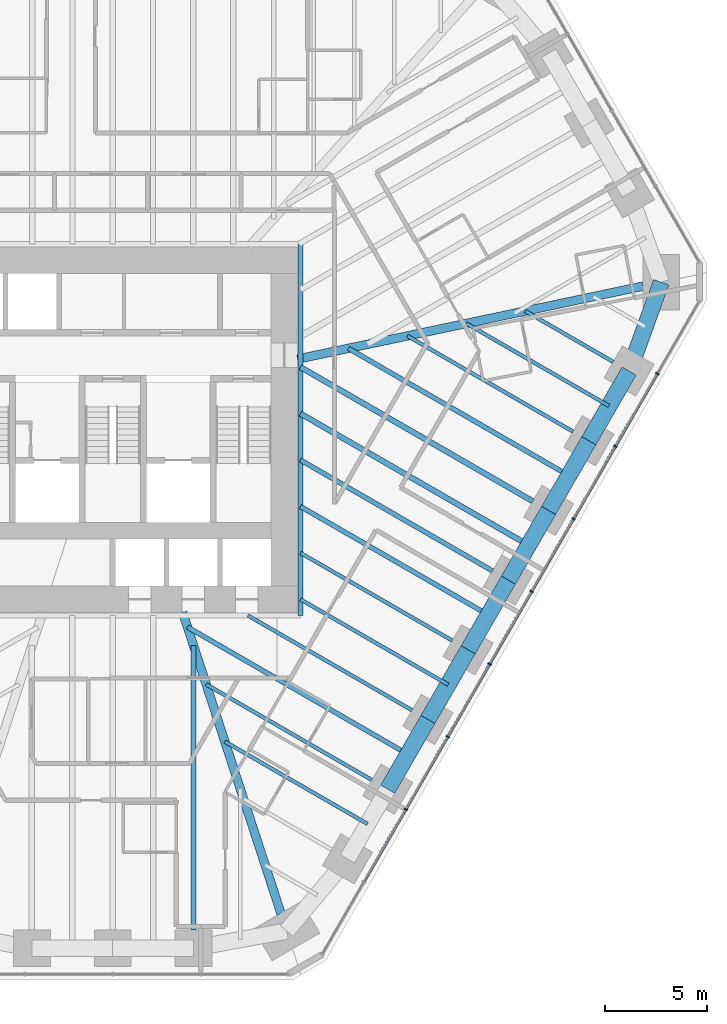
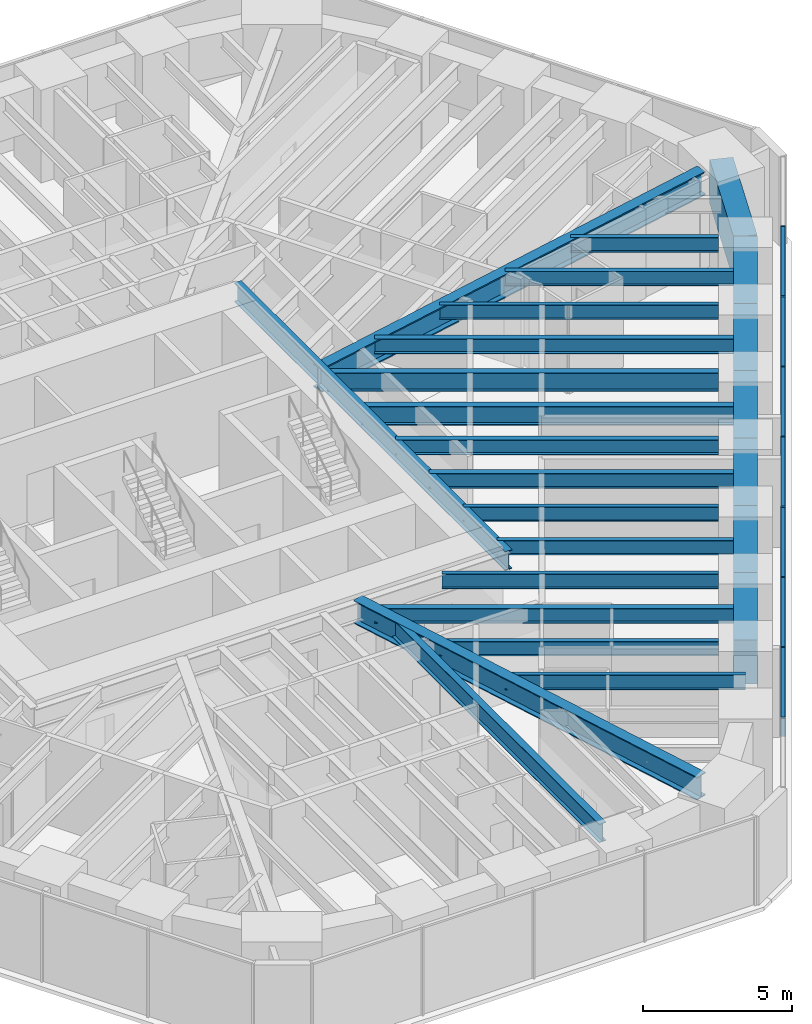
# One storey, part 5 of 17: 25 beams, 14 members, 1 element without a shape of its own.
"""IFC4 building model written with IfcOpenShell, lengths in metres."""

from ifc_helpers import new_model, si_unit, direction, frame, origin, origin_2d, place, context, subcontext, project, spatial, rectangle, i_section, extrude, material, material_profile, profile_set, type_object, element, aggregate, save


model = new_model("IFC4")

# Units and contexts
model_context = context("Model", 3, precision=1e-05, world=origin(), true_north=direction((0.0, 1.0)))
body_context = subcontext(model_context, "Body", "Model", "MODEL_VIEW")
ifc_project = project(units=[si_unit("LENGTHUNIT", "METRE"), si_unit("AREAUNIT", "SQUARE_METRE"), si_unit("VOLUMEUNIT", "CUBIC_METRE"), si_unit("PLANEANGLEUNIT", "RADIAN"), si_unit("MASSUNIT", "GRAM", prefix="KILO")], contexts=[model_context])

# Site, building, storey
site_placement = place(None, origin())
site = spatial("IfcSite", under=ifc_project, at=site_placement, CompositionType="ELEMENT")
building_placement = place(site_placement, origin())
building = spatial("IfcBuilding", under=site, at=building_placement, Name="Sandreach Pilgrim Tower", CompositionType="ELEMENT")
storey_placement = place(building_placement, frame((0.0, 0.0, 138.60009765625)))
storey = spatial("IfcBuildingStorey", under=building, at=storey_placement, Name="L34", CompositionType="ELEMENT", Elevation=138.60009765625)

# Curtain wall, members
ifc_material_1 = material(Name="Aluminium framed curtain wall", Category="aluminium")
curtain_wall_type = type_object("IfcCurtainWallType", Name="Hotel tower curtain wall", PredefinedType="NOTDEFINED", material=ifc_material_1)
curtain_wall_placement = place(storey_placement, origin())
curtain_wall = element("IfcCurtainWall", 1, at=curtain_wall_placement, inside=storey, type_object=curtain_wall_type, Name="CW-2 L34 SE", PredefinedType="NOTDEFINED")
ifc_material_2 = material(Name="Aluminium extrusion", Category="aluminium")
ifc_material_profile_1 = material_profile(ifc_material_2, rectangle(XDim=0.06494140625, YDim=0.179931640625, at=origin_2d()), Name="CW-2M 65X180")
ifc_profile_set_1 = profile_set([ifc_material_profile_1], Name="Aluminium extrusion")
member_type_1 = type_object("IfcMemberType", Name="CW-2 mullion", PredefinedType="MULLION", material=ifc_profile_set_1)
member_1_placement = place(storey_placement, frame((26.66748046875, 1.20166015625, 0.0), z_axis=(0.0, 0.0, 1.0), x_axis=(-0.5, -0.866025403784, 0.0)))
member_1 = element("IfcMember", 2, at=member_1_placement, type_object=member_type_1, Name="CW-2 mullion 2", PredefinedType="MULLION", context=body_context, shape_type="SweptSolid", body=[
    extrude(rectangle(XDim=0.06494140625, YDim=0.179931640625, at=origin_2d()), origin(), (0.0, 0.0, 1.0), 3.639892578125),
])
member_2_placement = place(storey_placement, frame((24.614013671875, -2.35498046875, 0.0), z_axis=(0.0, 0.0, 1.0), x_axis=(-0.5, -0.866025403784, 0.0)))
member_2 = element("IfcMember", 3, at=member_2_placement, type_object=member_type_1, Name="CW-2 mullion 3", PredefinedType="MULLION", context=body_context, shape_type="SweptSolid", body=[
    extrude(rectangle(XDim=0.06494140625, YDim=0.179931640625, at=origin_2d()), origin(), (0.0, 0.0, 1.0), 3.639892578125),
])
member_3_placement = place(storey_placement, frame((22.560302734375, -5.911865234375, 0.0), z_axis=(0.0, 0.0, 1.0), x_axis=(-0.5, -0.866025403784, 0.0)))
member_3 = element("IfcMember", 4, at=member_3_placement, type_object=member_type_1, Name="CW-2 mullion 4", PredefinedType="MULLION", context=body_context, shape_type="SweptSolid", body=[
    extrude(rectangle(XDim=0.06494140625, YDim=0.179931640625, at=origin_2d()), origin(), (0.0, 0.0, 1.0), 3.639892578125),
])
member_4_placement = place(storey_placement, frame((20.5068359375, -9.468505859375, 0.0), z_axis=(0.0, 0.0, 1.0), x_axis=(-0.5, -0.866025403784, 0.0)))
member_4 = element("IfcMember", 5, at=member_4_placement, type_object=member_type_1, Name="CW-2 mullion 5", PredefinedType="MULLION", context=body_context, shape_type="SweptSolid", body=[
    extrude(rectangle(XDim=0.06494140625, YDim=0.179931640625, at=origin_2d()), origin(), (0.0, 0.0, 1.0), 3.639892578125),
])
member_5_placement = place(storey_placement, frame((18.453369140625, -13.025146484375, 0.0), z_axis=(0.0, 0.0, 1.0), x_axis=(-0.5, -0.866025403784, 0.0)))
member_5 = element("IfcMember", 6, at=member_5_placement, type_object=member_type_1, Name="CW-2 mullion 6", PredefinedType="MULLION", context=body_context, shape_type="SweptSolid", body=[
    extrude(rectangle(XDim=0.06494140625, YDim=0.179931640625, at=origin_2d()), origin(), (0.0, 0.0, 1.0), 3.639892578125),
])
member_6_placement = place(storey_placement, frame((16.39990234375, -16.58203125, 0.0), z_axis=(0.0, 0.0, 1.0), x_axis=(-0.5, -0.866025403784, 0.0)))
member_6 = element("IfcMember", 7, at=member_6_placement, type_object=member_type_1, Name="CW-2 mullion 7", PredefinedType="MULLION", context=body_context, shape_type="SweptSolid", body=[
    extrude(rectangle(XDim=0.06494140625, YDim=0.179931640625, at=origin_2d()), origin(), (0.0, 0.0, 1.0), 3.639892578125),
])
member_7_placement = place(storey_placement, frame((14.346435546875, -20.138671875, 0.0), z_axis=(0.0, 0.0, 1.0), x_axis=(-0.5, -0.866025403784, 0.0)))
member_7 = element("IfcMember", 8, at=member_7_placement, type_object=member_type_1, Name="CW-2 mullion 8", PredefinedType="MULLION", context=body_context, shape_type="SweptSolid", body=[
    extrude(rectangle(XDim=0.06494140625, YDim=0.179931640625, at=origin_2d()), origin(), (0.0, 0.0, 1.0), 3.639892578125),
])
ifc_material_3 = material(Name="Aluminium extrusion", Category="aluminium")
ifc_material_profile_2 = material_profile(ifc_material_3, rectangle(XDim=0.139892578125, YDim=0.070068359375, at=origin_2d()), Name="CW-2T 140X70")
ifc_profile_set_2 = profile_set([ifc_material_profile_2], Name="Aluminium extrusion")
member_type_2 = type_object("IfcMemberType", Name="CW-2 transom", PredefinedType="USERDEFINED", material=ifc_profile_set_2)
member_8_placement = place(storey_placement, frame((26.651123046875, 1.173583984375, 3.60498046875), z_axis=(-0.499997818338, -0.866026663364, 0.0), x_axis=(0.866026663364, -0.499997818338, 0.0)))
member_8 = element("IfcMember", 9, at=member_8_placement, type_object=member_type_2, Name="CW-2 head transom 2", ObjectType="TRANSOM", PredefinedType="USERDEFINED", context=body_context, shape_type="SweptSolid", body=[
    extrude(rectangle(XDim=0.139892578125, YDim=0.070068359375, at=origin_2d()), origin(), (0.0, 0.0, 1.0), 4.0419921875),
])
member_9_placement = place(storey_placement, frame((24.59765625, -2.38330078125, 3.60498046875), z_axis=(-0.500023973715, -0.866011562111, 0.0), x_axis=(0.866011562111, -0.500023973715, 0.0)))
member_9 = element("IfcMember", 10, at=member_9_placement, type_object=member_type_2, Name="CW-2 head transom 3", ObjectType="TRANSOM", PredefinedType="USERDEFINED", context=body_context, shape_type="SweptSolid", body=[
    extrude(rectangle(XDim=0.139892578125, YDim=0.070068359375, at=origin_2d()), origin(), (0.0, 0.0, 1.0), 4.041748046875),
])
member_10_placement = place(storey_placement, frame((22.544189453125, -5.93994140625, 3.60498046875), z_axis=(-0.499997818338, -0.866026663364, 0.0), x_axis=(0.866026663364, -0.499997818338, 0.0)))
member_10 = element("IfcMember", 11, at=member_10_placement, type_object=member_type_2, Name="CW-2 head transom 4", ObjectType="TRANSOM", PredefinedType="USERDEFINED", context=body_context, shape_type="SweptSolid", body=[
    extrude(rectangle(XDim=0.139892578125, YDim=0.070068359375, at=origin_2d()), origin(), (0.0, 0.0, 1.0), 4.0419921875),
])
member_11_placement = place(storey_placement, frame((20.49072265625, -9.49658203125, 3.60498046875), z_axis=(-0.499997818338, -0.866026663364, 0.0), x_axis=(0.866026663364, -0.499997818338, 0.0)))
member_11 = element("IfcMember", 12, at=member_11_placement, type_object=member_type_2, Name="CW-2 head transom 5", ObjectType="TRANSOM", PredefinedType="USERDEFINED", context=body_context, shape_type="SweptSolid", body=[
    extrude(rectangle(XDim=0.139892578125, YDim=0.070068359375, at=origin_2d()), origin(), (0.0, 0.0, 1.0), 4.0419921875),
])
member_12_placement = place(storey_placement, frame((18.437255859375, -13.053466796875, 3.60498046875), z_axis=(-0.499997818338, -0.866026663364, 0.0), x_axis=(0.866026663364, -0.499997818338, 0.0)))
member_12 = element("IfcMember", 13, at=member_12_placement, type_object=member_type_2, Name="CW-2 head transom 6", ObjectType="TRANSOM", PredefinedType="USERDEFINED", context=body_context, shape_type="SweptSolid", body=[
    extrude(rectangle(XDim=0.139892578125, YDim=0.070068359375, at=origin_2d()), origin(), (0.0, 0.0, 1.0), 4.0419921875),
])
member_13_placement = place(storey_placement, frame((16.3837890625, -16.610107421875, 3.60498046875), z_axis=(-0.499997818338, -0.866026663364, 0.0), x_axis=(0.866026663364, -0.499997818338, 0.0)))
member_13 = element("IfcMember", 14, at=member_13_placement, type_object=member_type_2, Name="CW-2 head transom 7", ObjectType="TRANSOM", PredefinedType="USERDEFINED", context=body_context, shape_type="SweptSolid", body=[
    extrude(rectangle(XDim=0.139892578125, YDim=0.070068359375, at=origin_2d()), origin(), (0.0, 0.0, 1.0), 4.0419921875),
])
member_14_placement = place(storey_placement, frame((14.330322265625, -20.1669921875, 3.60498046875), z_axis=(-0.500023973715, -0.866011562111, 0.0), x_axis=(0.866011562111, -0.500023973715, 0.0)))
member_14 = element("IfcMember", 15, at=member_14_placement, type_object=member_type_2, Name="CW-2 head transom 8", ObjectType="TRANSOM", PredefinedType="USERDEFINED", context=body_context, shape_type="SweptSolid", body=[
    extrude(rectangle(XDim=0.139892578125, YDim=0.070068359375, at=origin_2d()), origin(), (0.0, 0.0, 1.0), 4.041748046875),
])
aggregate(curtain_wall, [member_1, member_2, member_3, member_4, member_5, member_6, member_7, member_8, member_9, member_10, member_11, member_12, member_13, member_14])

# Beams
ifc_material_4 = material(Name="Steel ASTM A992 Grade 50", Category="steel")
ifc_material_profile_3 = material_profile(ifc_material_4, i_section(OverallWidth=0.2666015625, OverallDepth=0.77978515625, WebThickness=0.0166015625, FlangeThickness=0.030029296875, at=origin_2d()), Name="W30X148")
ifc_profile_set_3 = profile_set([ifc_material_profile_3], Name="Steel ASTM A992 Grade 50")
beam_type_1 = type_object("IfcBeamType", Name="Core edge beam W30X148", PredefinedType="BEAM", material=ifc_profile_set_3)
beam_1_placement = place(storey_placement, frame((9.193359375, 7.54345703125, 3.25), z_axis=(0.0, -1.0, 0.0), x_axis=(1.0, 0.0, 0.0)))
element("IfcBeam", 16, at=beam_1_placement, inside=storey, type_object=beam_type_1, Name="BM L34 CEE", PredefinedType="BEAM", context=body_context, shape_type="SweptSolid", body=[
    extrude(i_section(OverallWidth=0.2666015625, OverallDepth=0.77978515625, WebThickness=0.0166015625, FlangeThickness=0.030029296875, at=origin_2d()), origin(), (0.0, 0.0, 1.0), 18.186767578125),
])
ifc_material_5 = material(Name="Steel ASTM A992 Grade 50", Category="steel")
ifc_material_profile_4 = material_profile(ifc_material_5, i_section(OverallWidth=0.421630859375, OverallDepth=0.937255859375, WebThickness=0.0224609375, FlangeThickness=0.039794921875, at=origin_2d()), Name="W36X282")
ifc_profile_set_4 = profile_set([ifc_material_profile_4], Name="Steel ASTM A992 Grade 50")
beam_type_2 = type_object("IfcBeamType", Name="Corner girder W36X282", PredefinedType="BEAM", material=ifc_profile_set_4)
beam_2_placement = place(storey_placement, frame((8.238525390625, -25.23876953125, 3.17138671875), z_axis=(-0.310307109519, 0.950636364643, 0.0), x_axis=(-0.950636364643, -0.310307109519, 0.0)))
element("IfcBeam", 17, at=beam_2_placement, inside=storey, type_object=beam_type_2, Name="BM L34 CG22", PredefinedType="BEAM", context=body_context, shape_type="SweptSolid", body=[
    extrude(i_section(OverallWidth=0.421630859375, OverallDepth=0.937255859375, WebThickness=0.0224609375, FlangeThickness=0.039794921875, at=origin_2d()), origin(), (0.0, 0.0, 1.0), 15.504150390625),
])
ifc_material_6 = material(Name="Steel ASTM A992 Grade 50", Category="steel")
ifc_material_profile_5 = material_profile(ifc_material_6, i_section(OverallWidth=0.424072265625, OverallDepth=0.965087890625, WebThickness=0.028564453125, FlangeThickness=0.051025390625, at=origin_2d()), Name="W36X361")
ifc_profile_set_5 = profile_set([ifc_material_profile_5], Name="Steel ASTM A992 Grade 50")
beam_type_3 = type_object("IfcBeamType", Name="Corner girder W36X361", PredefinedType="BEAM", material=ifc_profile_set_5)
beam_3_placement = place(storey_placement, frame((25.976806640625, 5.484619140625, 3.1572265625), z_axis=(-0.978427882284, -0.206588671447, 0.0), x_axis=(0.206588671447, -0.978427882284, 0.0)))
element("IfcBeam", 18, at=beam_3_placement, inside=storey, type_object=beam_type_3, Name="BM L34 CG13", PredefinedType="BEAM", context=body_context, shape_type="SweptSolid", body=[
    extrude(i_section(OverallWidth=0.424072265625, OverallDepth=0.965087890625, WebThickness=0.028564453125, FlangeThickness=0.051025390625, at=origin_2d()), origin(), (0.0, 0.0, 1.0), 17.300048828125),
])
ifc_material_7 = material(Name="Steel ASTM A992 Grade 50", Category="steel")
ifc_material_profile_6 = material_profile(ifc_material_7, i_section(OverallWidth=0.1787109375, OverallDepth=0.60205078125, WebThickness=0.010986328125, FlangeThickness=0.014892578125, at=origin_2d()), Name="W24X62")
ifc_profile_set_6 = profile_set([ifc_material_profile_6], Name="Steel ASTM A992 Grade 50")
beam_type_4 = type_object("IfcBeamType", Name="Floor beam W24X62", PredefinedType="BEAM", material=ifc_profile_set_6)
beam_4_placement = place(storey_placement, frame((24.50439453125, 1.775390625, 3.3388671875), z_axis=(-0.866024645457, 0.500001313459, 0.0), x_axis=(-0.500001313459, -0.866024645457, 0.0)))
element("IfcBeam", 19, at=beam_4_placement, inside=storey, type_object=beam_type_4, Name="BM L34 F14", PredefinedType="BEAM", context=body_context, shape_type="SweptSolid", body=[
    extrude(i_section(OverallWidth=0.1787109375, OverallDepth=0.60205078125, WebThickness=0.010986328125, FlangeThickness=0.014892578125, at=origin_2d()), origin(), (0.0, 0.0, 1.0), 4.9765625),
])
beam_5_placement = place(storey_placement, frame((22.534423828125, -1.63671875, 3.3388671875), z_axis=(-0.866012351917, 0.500022605817, 0.0), x_axis=(-0.500022605817, -0.866012351917, 0.0)))
element("IfcBeam", 20, at=beam_5_placement, inside=storey, type_object=beam_type_4, Name="BM L34 F15", PredefinedType="BEAM", context=body_context, shape_type="SweptSolid", body=[
    extrude(i_section(OverallWidth=0.1787109375, OverallDepth=0.60205078125, WebThickness=0.010986328125, FlangeThickness=0.014892578125, at=origin_2d()), origin(), (0.0, 0.0, 1.0), 9.3642578125),
])
beam_6_placement = place(storey_placement, frame((16.62451171875, -11.873046875, 3.3388671875), z_axis=(-0.866017857595, 0.500013070155, 0.0), x_axis=(-0.500013070155, -0.866017857595, 0.0)))
element("IfcBeam", 21, at=beam_6_placement, inside=storey, type_object=beam_type_4, Name="BM L34 F18", PredefinedType="BEAM", context=body_context, shape_type="SweptSolid", body=[
    extrude(i_section(OverallWidth=0.1787109375, OverallDepth=0.60205078125, WebThickness=0.010986328125, FlangeThickness=0.014892578125, at=origin_2d()), origin(), (0.0, 0.0, 1.0), 8.580810546875),
])
beam_7_placement = place(storey_placement, frame((14.654541015625, -15.28515625, 3.3388671875), z_axis=(-0.866015659929, 0.500016876472, 0.0), x_axis=(-0.500016876472, -0.866015659929, 0.0)))
element("IfcBeam", 22, at=beam_7_placement, inside=storey, type_object=beam_type_4, Name="BM L34 F19", PredefinedType="BEAM", context=body_context, shape_type="SweptSolid", body=[
    extrude(i_section(OverallWidth=0.1787109375, OverallDepth=0.60205078125, WebThickness=0.010986328125, FlangeThickness=0.014892578125, at=origin_2d()), origin(), (0.0, 0.0, 1.0), 9.283447265625),
])
beam_8_placement = place(storey_placement, frame((12.6845703125, -18.697265625, 3.3388671875), z_axis=(-0.866012351917, 0.500022605817, 0.0), x_axis=(-0.500022605817, -0.866012351917, 0.0)))
element("IfcBeam", 23, at=beam_8_placement, inside=storey, type_object=beam_type_4, Name="BM L34 F20", PredefinedType="BEAM", context=body_context, shape_type="SweptSolid", body=[
    extrude(i_section(OverallWidth=0.1787109375, OverallDepth=0.60205078125, WebThickness=0.010986328125, FlangeThickness=0.014892578125, at=origin_2d()), origin(), (0.0, 0.0, 1.0), 9.3642578125),
])
beam_9_placement = place(storey_placement, frame((24.298828125, -0.380615234375, 3.3388671875), z_axis=(-0.866022864518, 0.500004398112, 0.0), x_axis=(-0.500004398112, -0.866022864518, 0.0)))
element("IfcBeam", 24, at=beam_9_placement, inside=storey, type_object=beam_type_4, Name="BM L34 FM14", PredefinedType="BEAM", context=body_context, shape_type="SweptSolid", body=[
    extrude(i_section(OverallWidth=0.1787109375, OverallDepth=0.60205078125, WebThickness=0.010986328125, FlangeThickness=0.014892578125, at=origin_2d()), origin(), (0.0, 0.0, 1.0), 8.0703125),
])
beam_10_placement = place(storey_placement, frame((16.4189453125, -14.029052734375, 3.3388671875), z_axis=(-0.866016009309, 0.500016271356, 0.0), x_axis=(-0.500016271356, -0.866016009309, 0.0)))
element("IfcBeam", 25, at=beam_10_placement, inside=storey, type_object=beam_type_4, Name="BM L34 FM18", PredefinedType="BEAM", context=body_context, shape_type="SweptSolid", body=[
    extrude(i_section(OverallWidth=0.1787109375, OverallDepth=0.60205078125, WebThickness=0.010986328125, FlangeThickness=0.014892578125, at=origin_2d()), origin(), (0.0, 0.0, 1.0), 8.343505859375),
])
beam_11_placement = place(storey_placement, frame((12.47900390625, -20.853271484375, 3.3388671875), z_axis=(-0.866017328257, 0.500013986963, 0.0), x_axis=(-0.500013986963, -0.866017328257, 0.0)))
element("IfcBeam", 26, at=beam_11_placement, inside=storey, type_object=beam_type_4, Name="BM L34 FM20", PredefinedType="BEAM", context=body_context, shape_type="SweptSolid", body=[
    extrude(i_section(OverallWidth=0.1787109375, OverallDepth=0.60205078125, WebThickness=0.010986328125, FlangeThickness=0.014892578125, at=origin_2d()), origin(), (0.0, 0.0, 1.0), 8.070556640625),
])
ifc_material_8 = material(Name="Steel ASTM A992 Grade 50", Category="steel")
ifc_material_profile_7 = material_profile(ifc_material_8, i_section(OverallWidth=0.23046875, OverallDepth=0.6171875, WebThickness=0.01318359375, FlangeThickness=0.022216796875, at=origin_2d()), Name="W24X94")
ifc_profile_set_7 = profile_set([ifc_material_profile_7], Name="Steel ASTM A992 Grade 50")
beam_type_5 = type_object("IfcBeamType", Name="Floor beam W24X94", PredefinedType="BEAM", material=ifc_profile_set_7)
beam_12_placement = place(storey_placement, frame((18.594482421875, -8.4609375, 3.331298828125), z_axis=(-0.866015926388, 0.500016414973, 0.0), x_axis=(-0.500016414973, -0.866015926388, 0.0)))
element("IfcBeam", 27, at=beam_12_placement, inside=storey, type_object=beam_type_5, Name="BM L34 F17", PredefinedType="BEAM", context=body_context, shape_type="SweptSolid", body=[
    extrude(i_section(OverallWidth=0.23046875, OverallDepth=0.6171875, WebThickness=0.01318359375, FlangeThickness=0.022216796875, at=origin_2d()), origin(), (0.0, 0.0, 1.0), 10.855712890625),
])
beam_13_placement = place(storey_placement, frame((22.328857421875, -3.792724609375, 3.331298828125), z_axis=(-0.866019150617, 0.500010830648, 0.0), x_axis=(-0.500010830648, -0.866019150617, 0.0)))
element("IfcBeam", 28, at=beam_13_placement, inside=storey, type_object=beam_type_5, Name="BM L34 FM15", PredefinedType="BEAM", context=body_context, shape_type="SweptSolid", body=[
    extrude(i_section(OverallWidth=0.23046875, OverallDepth=0.6171875, WebThickness=0.01318359375, FlangeThickness=0.022216796875, at=origin_2d()), origin(), (0.0, 0.0, 1.0), 12.458251953125),
])
beam_14_placement = place(storey_placement, frame((18.388916015625, -10.616943359375, 3.331298828125), z_axis=(-0.866024387147, 0.500001760863, 0.0), x_axis=(-0.500001760863, -0.866024387147, 0.0)))
element("IfcBeam", 29, at=beam_14_placement, inside=storey, type_object=beam_type_5, Name="BM L34 FM17", PredefinedType="BEAM", context=body_context, shape_type="SweptSolid", body=[
    extrude(i_section(OverallWidth=0.23046875, OverallDepth=0.6171875, WebThickness=0.01318359375, FlangeThickness=0.022216796875, at=origin_2d()), origin(), (0.0, 0.0, 1.0), 10.6181640625),
])
beam_15_placement = place(storey_placement, frame((14.448974609375, -17.441162109375, 3.331298828125), z_axis=(-0.866019150617, 0.500010830648, 0.0), x_axis=(-0.500010830648, -0.866019150617, 0.0)))
element("IfcBeam", 30, at=beam_15_placement, inside=storey, type_object=beam_type_5, Name="BM L34 FM19", PredefinedType="BEAM", context=body_context, shape_type="SweptSolid", body=[
    extrude(i_section(OverallWidth=0.23046875, OverallDepth=0.6171875, WebThickness=0.01318359375, FlangeThickness=0.022216796875, at=origin_2d()), origin(), (0.0, 0.0, 1.0), 12.458251953125),
])
ifc_material_9 = material(Name="Steel ASTM A992 Grade 50", Category="steel")
ifc_material_profile_8 = material_profile(ifc_material_9, i_section(OverallWidth=0.2666015625, OverallDepth=0.761962890625, WebThickness=0.014404296875, FlangeThickness=0.021484375, at=origin_2d()), Name="W30X116")
ifc_profile_set_8 = profile_set([ifc_material_profile_8], Name="Steel ASTM A992 Grade 50")
beam_type_6 = type_object("IfcBeamType", Name="Floor beam W30X116", PredefinedType="BEAM", material=ifc_profile_set_8)
beam_16_placement = place(storey_placement, frame((20.564453125, -5.048828125, 3.2587890625), z_axis=(-0.866022715736, 0.500004655807, 0.0), x_axis=(-0.500004655807, -0.866022715736, 0.0)))
element("IfcBeam", 31, at=beam_16_placement, inside=storey, type_object=beam_type_6, Name="BM L34 F16", PredefinedType="BEAM", context=body_context, shape_type="SweptSolid", body=[
    extrude(i_section(OverallWidth=0.2666015625, OverallDepth=0.761962890625, WebThickness=0.014404296875, FlangeThickness=0.021484375, at=origin_2d()), origin(), (0.0, 0.0, 1.0), 13.130126953125),
])
beam_17_placement = place(storey_placement, frame((3.955322265625, -26.0322265625, 3.2587890625), z_axis=(0.0, 1.0, 0.0), x_axis=(-1.0, 0.0, 0.0)))
element("IfcBeam", 32, at=beam_17_placement, inside=storey, type_object=beam_type_6, Name="BM L34 F23", PredefinedType="BEAM", context=body_context, shape_type="SweptSolid", body=[
    extrude(i_section(OverallWidth=0.2666015625, OverallDepth=0.761962890625, WebThickness=0.014404296875, FlangeThickness=0.021484375, at=origin_2d()), origin(), (0.0, 0.0, 1.0), 13.91552734375),
])
beam_18_placement = place(storey_placement, frame((20.35888671875, -7.204833984375, 3.2587890625), z_axis=(-0.866021609098, 0.500006572533, 0.0), x_axis=(-0.500006572533, -0.866021609098, 0.0)))
element("IfcBeam", 33, at=beam_18_placement, inside=storey, type_object=beam_type_6, Name="BM L34 FM16", PredefinedType="BEAM", context=body_context, shape_type="SweptSolid", body=[
    extrude(i_section(OverallWidth=0.2666015625, OverallDepth=0.761962890625, WebThickness=0.014404296875, FlangeThickness=0.021484375, at=origin_2d()), origin(), (0.0, 0.0, 1.0), 12.892822265625),
])
ifc_material_10 = material(Name="Concrete 10000 psi", Category="concrete")
ifc_material_profile_9 = material_profile(ifc_material_10, rectangle(XDim=0.800048828125, YDim=1.800048828125, at=origin_2d()), Name="RC800X1800")
ifc_profile_set_9 = profile_set([ifc_material_profile_9], Name="Concrete 10000 psi")
beam_type_7 = type_object("IfcBeamType", Name="Spandrel beam RC800X1800", PredefinedType="SPANDREL", material=ifc_profile_set_9)
beam_19_placement = place(storey_placement, frame((26.857177734375, 5.67041015625, 2.739990234375), z_axis=(-0.340453163563, -0.940261476091, 0.0), x_axis=(0.940261476091, -0.340453163563, 0.0)))
element("IfcBeam", 34, at=beam_19_placement, inside=storey, type_object=beam_type_7, Name="BM L34 SP13", PredefinedType="SPANDREL", context=body_context, shape_type="SweptSolid", body=[
    extrude(rectangle(XDim=0.800048828125, YDim=1.800048828125, at=origin_2d()), origin(), (0.0, 0.0, 1.0), 4.62109375),
])
for number, where, z_axis, x_axis, name in (
    (35, (25.283935546875, 1.325439453125, 2.739990234375), (-0.49999779889, -0.866026674592, 0.0), (0.866026674592, -0.49999779889, 0.0), "BM L34 SP14"),
    (36, (23.31396484375, -2.086669921875, 2.739990234375), (-0.49999779889, -0.866026674592, 0.0), (0.866026674592, -0.49999779889, 0.0), "BM L34 SP15"),
    (37, (21.343994140625, -5.498779296875, 2.739990234375), (-0.49999779889, -0.866026674592, 0.0), (0.866026674592, -0.49999779889, 0.0), "BM L34 SP16"),
    (38, (19.3740234375, -8.910888671875, 2.739990234375), (-0.49999779889, -0.866026674592, 0.0), (0.866026674592, -0.49999779889, 0.0), "BM L34 SP17"),
    (39, (17.404052734375, -12.322998046875, 2.739990234375), (-0.49999779889, -0.866026674592, 0.0), (0.866026674592, -0.49999779889, 0.0), "BM L34 SP18"),
    (40, (15.43408203125, -15.735107421875, 2.739990234375), (-0.49999779889, -0.866026674592, 0.0), (0.866026674592, -0.49999779889, 0.0), "BM L34 SP19"),
):
    element("IfcBeam", number, at=place(storey_placement, frame(where, z_axis=z_axis, x_axis=x_axis)), inside=storey, type_object=beam_type_7, Name=name, PredefinedType="SPANDREL", context=body_context, shape_type="SweptSolid", body=[
        extrude(rectangle(XDim=0.800048828125, YDim=1.800048828125, at=origin_2d()), origin(), (0.0, 0.0, 1.0), 3.93994140625),
    ])

save(model, "model.ifc")
